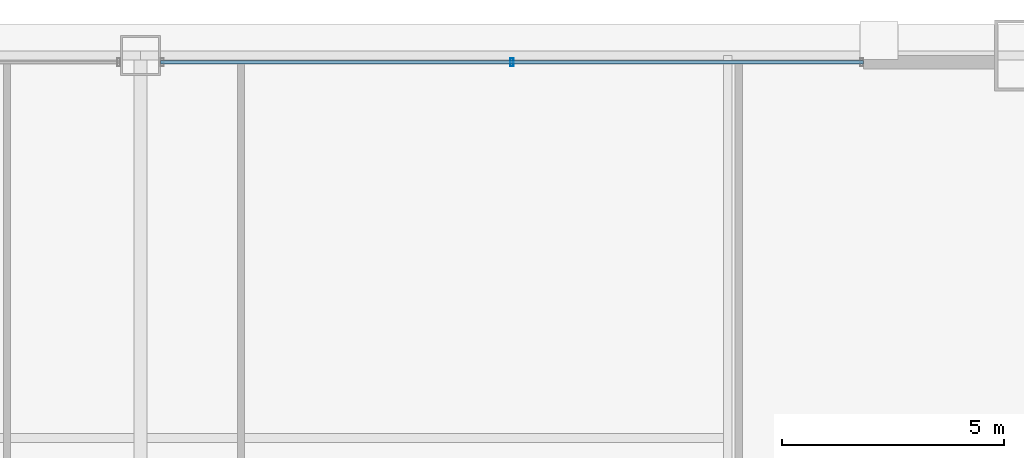
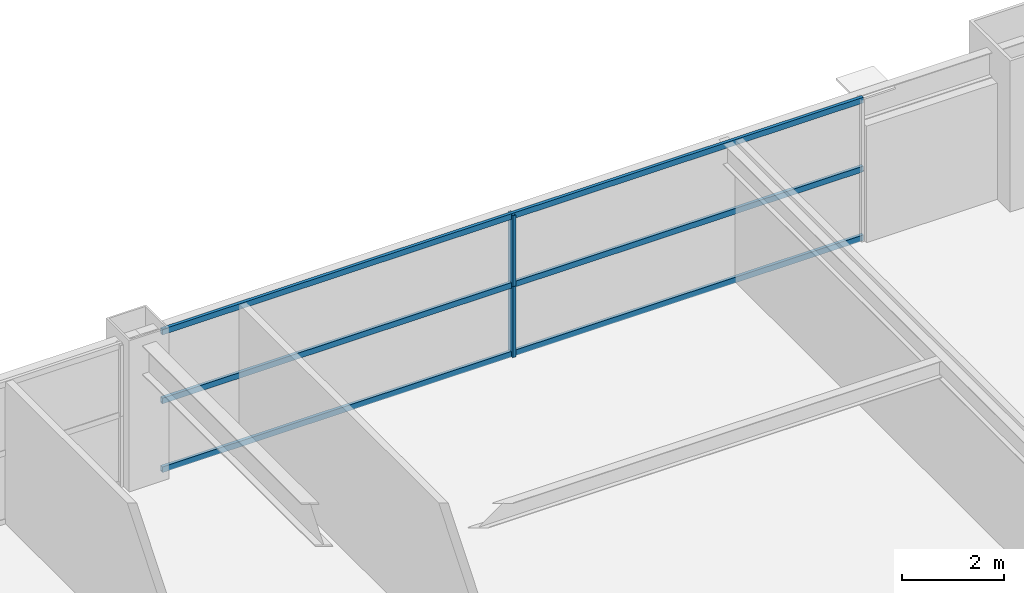
# One storey, part 31 of 39: 5 members, 1 element without a shape of its own.
"""IFC4 building model written with IfcOpenShell, lengths in metres."""

from ifc_helpers import new_model, si_unit, direction, frame, origin, origin_2d, place, context, subcontext, project, spatial, hollow_rectangle, extrude, source, transform, mapped, material, layer, layer_set, material_profile, profile_set, type_object, element, aggregate, save


model = new_model("IFC4")

# Units and contexts
model_context = context("Model", 3, precision=1e-05, world=origin(), true_north=direction((0.0, 1.0)))
body_context = subcontext(model_context, "Body", "Model", "MODEL_VIEW")
ifc_project = project(units=[si_unit("LENGTHUNIT", "METRE"), si_unit("AREAUNIT", "SQUARE_METRE"), si_unit("VOLUMEUNIT", "CUBIC_METRE"), si_unit("PLANEANGLEUNIT", "RADIAN"), si_unit("MASSUNIT", "GRAM", prefix="KILO"), si_unit("THERMODYNAMICTEMPERATUREUNIT", "KELVIN"), si_unit("POWERUNIT", "WATT")], contexts=[model_context])

# Site, building, storey
site_placement = place(None, origin())
site = spatial("IfcSite", under=ifc_project, at=site_placement, CompositionType="ELEMENT")
building_placement = place(site_placement, origin())
building = spatial("IfcBuilding", under=site, at=building_placement, Name="Yuzanri Waterfront Tower", CompositionType="ELEMENT")
storey_placement = place(building_placement, frame((0.0, 0.0, 141.60009765625)))
storey = spatial("IfcBuildingStorey", under=building, at=storey_placement, Name="L37", CompositionType="ELEMENT", Elevation=141.60009765625)

# Curtain wall, members
ifc_material_1 = material(Name="Anodized Architectural Bronze", Category="metal")
ifc_layer = layer(ifc_material_1, 0.159912109375)
ifc_layer_set = layer_set([ifc_layer], Name="Anodized Architectural Bronze")
curtain_wall_type = type_object("IfcCurtainWallType", Name="Anodized Bronze Hotel Upper-Tier Solar-Control Unitized Curtain Wall 7800", PredefinedType="NOTDEFINED", material=ifc_layer_set)
curtain_wall_placement = place(storey_placement, origin())
curtain_wall = element("IfcCurtainWall", 1, at=curtain_wall_placement, inside=storey, type_object=curtain_wall_type, Name="L37 Curtain Wall CW-L37-NR", PredefinedType="NOTDEFINED")
ifc_material_2 = material(Name="Anodized Architectural Bronze", Category="metal")
ifc_material_profile_1 = material_profile(ifc_material_2, hollow_rectangle(XDim=0.070068359375, YDim=0.179931640625, WallThickness=0.00390625, at=origin_2d()), Name="CWM 70x180")
ifc_profile_set_1 = profile_set([ifc_material_profile_1], Name="Anodized Architectural Bronze")
member_type_1 = type_object("IfcMemberType", Name="Anodized Bronze Standard Curtain-Wall Mullion 70x180", PredefinedType="MULLION", material=ifc_profile_set_1)
shared_shape_1 = source(origin(), body_context, "Body", "SweptSolid", [
    extrude(hollow_rectangle(XDim=0.070068359375, YDim=0.179931640625, WallThickness=0.00390625, at=origin_2d()), origin(), (0.0, 0.0, 1.0), 1.68798828125),
])
member_1_placement = place(storey_placement, frame((45.35009765625, 49.25, 0.0), z_axis=(0.0, 0.0, 1.0), x_axis=(1.0, 0.0, 0.0)))
member_1 = element("IfcMember", 2, at=member_1_placement, type_object=member_type_1, Name="CW-L37-NR Lower Mullion 01", PredefinedType="MULLION", context=body_context, shape_type="MappedRepresentation", body=[
    mapped(shared_shape_1, transform((0.0, 0.0, 0.0), scale=1.0)),
])
member_2_placement = place(storey_placement, frame((45.35009765625, 49.25, 1.69189453125), z_axis=(0.0, 0.0, 1.0), x_axis=(1.0, 0.0, 0.0)))
member_2 = element("IfcMember", 3, at=member_2_placement, type_object=member_type_1, Name="CW-L37-NR Upper Mullion 01", PredefinedType="MULLION", context=body_context, shape_type="MappedRepresentation", body=[
    mapped(shared_shape_1, transform((0.0, 0.0, 0.0), scale=1.0)),
])
ifc_material_3 = material(Name="Anodized Architectural Bronze", Category="metal")
ifc_material_profile_2 = material_profile(ifc_material_3, hollow_rectangle(XDim=0.070068359375, YDim=0.135009765625, WallThickness=0.00341796875, at=origin_2d()), Name="CWT 70x135")
ifc_profile_set_2 = profile_set([ifc_material_profile_2], Name="Anodized Architectural Bronze")
member_type_2 = type_object("IfcMemberType", Name="Anodized Bronze Standard Curtain-Wall Transom 70x135", PredefinedType="USERDEFINED", material=ifc_profile_set_2)
shared_shape_2 = source(origin(), body_context, "Body", "SweptSolid", [
    extrude(hollow_rectangle(XDim=0.070068359375, YDim=0.135009765625, WallThickness=0.00341796875, at=origin_2d()), origin(), (0.0, 0.0, 1.0), 15.800048828125),
])
member_3_placement = place(storey_placement, frame((37.449951171875, 49.25, 0.0498046875), z_axis=(1.0, 0.0, 0.0), x_axis=(0.0, 1.0, 0.0)))
member_3 = element("IfcMember", 4, at=member_3_placement, type_object=member_type_2, Name="CW-L37-NR Transom 1", ObjectType="TRANSOM", PredefinedType="USERDEFINED", context=body_context, shape_type="MappedRepresentation", body=[
    mapped(shared_shape_2, transform((0.0, 0.0, 0.0), scale=1.0)),
])
member_4_placement = place(storey_placement, frame((37.449951171875, 49.25, 1.68994140625), z_axis=(1.0, 0.0, 0.0), x_axis=(0.0, 1.0, 0.0)))
member_4 = element("IfcMember", 5, at=member_4_placement, type_object=member_type_2, Name="CW-L37-NR Transom 2", ObjectType="TRANSOM", PredefinedType="USERDEFINED", context=body_context, shape_type="MappedRepresentation", body=[
    mapped(shared_shape_2, transform((0.0, 0.0, 0.0), scale=1.0)),
])
member_5_placement = place(storey_placement, frame((37.449951171875, 49.25, 3.329833984375), z_axis=(1.0, 0.0, 0.0), x_axis=(0.0, 1.0, 0.0)))
member_5 = element("IfcMember", 6, at=member_5_placement, type_object=member_type_2, Name="CW-L37-NR Transom 3", ObjectType="TRANSOM", PredefinedType="USERDEFINED", context=body_context, shape_type="MappedRepresentation", body=[
    mapped(shared_shape_2, transform((0.0, 0.0, 0.0), scale=1.0)),
])
aggregate(curtain_wall, [member_1, member_2, member_3, member_4, member_5])

save(model, "model.ifc")
